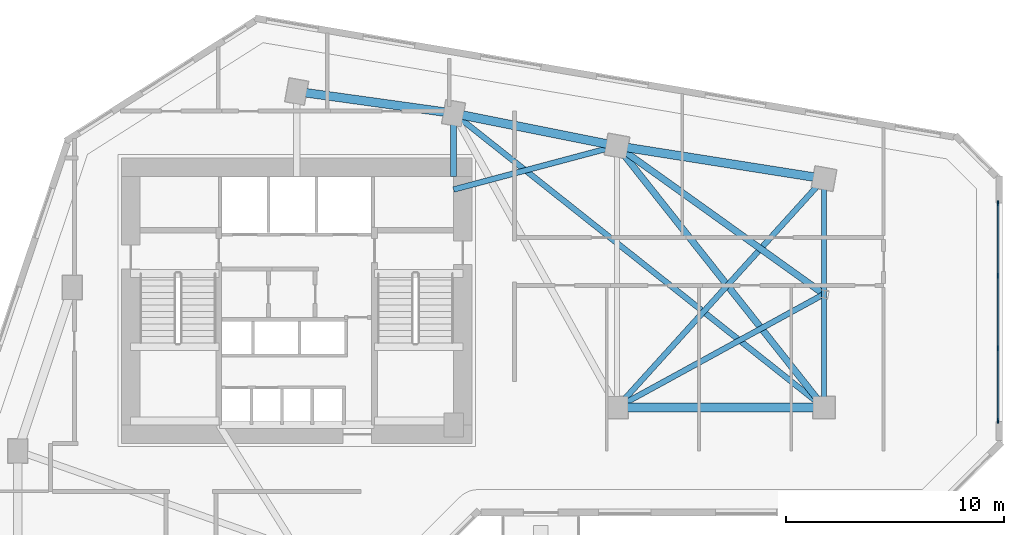
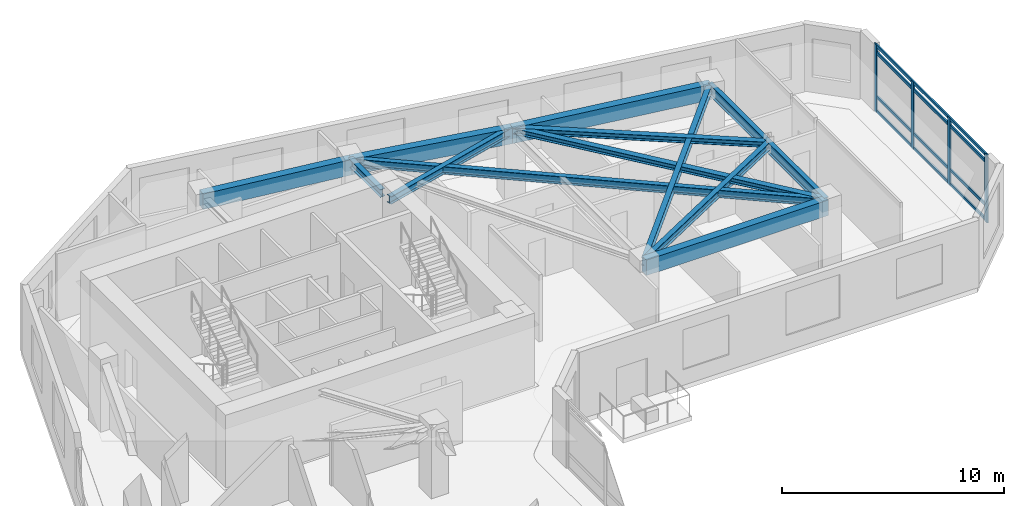
# One storey, part 3 of 10: 12 beams, 8 members, 1 element without a shape of its own.
"""IFC4 building model written with IfcOpenShell, lengths in metres."""

from ifc_helpers import new_model, si_unit, direction, frame, origin, origin_2d, place, context, subcontext, project, spatial, rectangle, i_section, extrude, source, transform, mapped, material, material_profile, profile_set, type_object, element, aggregate, save


model = new_model("IFC4")

# Units and contexts
model_context = context("Model", 3, precision=1e-05, world=origin(), true_north=direction((0.0, 1.0)))
body_context = subcontext(model_context, "Body", "Model", "MODEL_VIEW")
ifc_project = project(units=[si_unit("LENGTHUNIT", "METRE"), si_unit("AREAUNIT", "SQUARE_METRE"), si_unit("VOLUMEUNIT", "CUBIC_METRE"), si_unit("PLANEANGLEUNIT", "RADIAN"), si_unit("MASSUNIT", "GRAM", prefix="KILO")], contexts=[model_context])

# Site, building, storey
site_placement = place(None, origin())
site = spatial("IfcSite", under=ifc_project, at=site_placement, CompositionType="ELEMENT")
building_placement = place(site_placement, origin())
building = spatial("IfcBuilding", under=site, at=building_placement, Name="Calvemar Wedge Station Tower", CompositionType="ELEMENT")
storey_placement = place(building_placement, frame((0.0, 0.0, 95.0)))
storey = spatial("IfcBuildingStorey", under=building, at=storey_placement, Name="L23", CompositionType="ELEMENT", Elevation=95.0)

# Beams
ifc_material_1 = material(Name="Concrete C60", Category="concrete")
ifc_material_profile_1 = material_profile(ifc_material_1, rectangle(XDim=0.39990234375, YDim=0.85009765625, at=origin_2d()), Name="RC400x850")
ifc_profile_set_1 = profile_set([ifc_material_profile_1], Name="Concrete C60")
beam_type_1 = type_object("IfcBeamType", Name="BM-SP1-850", PredefinedType="SPANDREL", material=ifc_profile_set_1)
shared_shape_1 = source(origin(), body_context, "Body", "SweptSolid", [
    extrude(rectangle(XDim=0.39990234375, YDim=0.85009765625, at=origin_2d()), origin(), (0.0, 0.0, 1.0), 7.26904296875),
])
beam_1_placement = place(storey_placement, frame((23.800048828125, 49.5, 3.27490234375), z_axis=(0.990492146053, -0.13756928657, 0.0), x_axis=(0.13756928657, 0.990492146053, 0.0)))
element("IfcBeam", 1, at=beam_1_placement, inside=storey, type_object=beam_type_1, Name="Storey L23 Spandrel T-N1-T-N2", PredefinedType="SPANDREL", context=body_context, shape_type="MappedRepresentation", body=[
    mapped(shared_shape_1, transform((0.0, 0.0, 0.0), scale=1.0)),
])
shared_shape_2 = source(origin(), body_context, "Body", "SweptSolid", [
    extrude(rectangle(XDim=0.39990234375, YDim=0.85009765625, at=origin_2d()), origin(), (0.0, 0.0, 1.0), 7.6484375),
])
beam_2_placement = place(storey_placement, frame((31.0, 48.5, 3.27490234375), z_axis=(0.980580675691, -0.196116135138, 0.0), x_axis=(0.196116135138, 0.980580675691, 0.0)))
element("IfcBeam", 2, at=beam_2_placement, inside=storey, type_object=beam_type_1, Name="Storey L23 Spandrel T-N2-T-NU3", PredefinedType="SPANDREL", context=body_context, shape_type="MappedRepresentation", body=[
    mapped(shared_shape_2, transform((0.0, 0.0, 0.0), scale=1.0)),
])
shared_shape_3 = source(origin(), body_context, "Body", "SweptSolid", [
    extrude(rectangle(XDim=0.39990234375, YDim=0.85009765625, at=origin_2d()), origin(), (0.0, 0.0, 1.0), 9.61767578125),
])
beam_3_placement = place(storey_placement, frame((38.5, 47.0, 3.27490234375), z_axis=(0.987762965329, -0.155962573473, 0.0), x_axis=(0.155962573473, 0.987762965329, 0.0)))
element("IfcBeam", 3, at=beam_3_placement, inside=storey, type_object=beam_type_1, Name="Storey L23 Spandrel T-NU3-T-NU4", PredefinedType="SPANDREL", context=body_context, shape_type="MappedRepresentation", body=[
    mapped(shared_shape_3, transform((0.0, 0.0, 0.0), scale=1.0)),
])
shared_shape_4 = source(origin(), body_context, "Body", "SweptSolid", [
    extrude(rectangle(XDim=0.39990234375, YDim=0.85009765625, at=origin_2d()), origin(), (0.0, 0.0, 1.0), 9.5),
])
beam_4_placement = place(storey_placement, frame((38.5, 35.0, 3.27490234375), z_axis=(1.0, 0.0, 0.0), x_axis=(0.0, 1.0, 0.0)))
element("IfcBeam", 4, at=beam_4_placement, inside=storey, type_object=beam_type_1, Name="Storey L23 Spandrel T-NL2-T-NL3", PredefinedType="SPANDREL", context=body_context, shape_type="MappedRepresentation", body=[
    mapped(shared_shape_4, transform((0.0, 0.0, 0.0), scale=1.0)),
])
ifc_material_2 = material(Name="Structural steel ASTM A572 Grade 50", Category="steel")
ifc_material_profile_2 = material_profile(ifc_material_2, i_section(OverallWidth=0.22998046875, OverallDepth=0.616943359375, WebThickness=0.01318359375, FlangeThickness=0.022216796875, FilletRadius=0.012939453125, at=origin_2d()), Name="W610x140")
ifc_profile_set_2 = profile_set([ifc_material_profile_2], Name="Structural steel ASTM A572 Grade 50")
beam_type_2 = type_object("IfcBeamType", Name="BM-SB2-W610", PredefinedType="BEAM", material=ifc_profile_set_2)
shared_shape_5 = source(origin(), body_context, "Body", "SweptSolid", [
    extrude(i_section(OverallWidth=0.22998046875, OverallDepth=0.616943359375, WebThickness=0.01318359375, FlangeThickness=0.022216796875, FilletRadius=0.012939453125, at=origin_2d()), origin(), (0.0, 0.0, 1.0), 10.5),
])
beam_5_placement = place(storey_placement, frame((48.0, 45.5, 3.3916015625), z_axis=(0.0, -1.0, 0.0), x_axis=(1.0, 0.0, 0.0)))
element("IfcBeam", 5, at=beam_5_placement, inside=storey, type_object=beam_type_2, Name="Storey L23 Floor Beam T-NU4-T-NL3", PredefinedType="BEAM", context=body_context, shape_type="MappedRepresentation", body=[
    mapped(shared_shape_5, transform((0.0, 0.0, 0.0), scale=1.0)),
])
ifc_material_profile_3 = material_profile(ifc_material_2, i_section(OverallWidth=0.260986328125, OverallDepth=0.419921875, WebThickness=0.01171875, FlangeThickness=0.019287109375, FilletRadius=0.012939453125, at=origin_2d()), Name="W410x114")
ifc_profile_set_3 = profile_set([ifc_material_profile_3], Name="Structural steel ASTM A572 Grade 50")
beam_type_3 = type_object("IfcBeamType", Name="BM-J2-W410H", PredefinedType="JOIST", material=ifc_profile_set_3)
shared_shape_6 = source(origin(), body_context, "Body", "SweptSolid", [
    extrude(i_section(OverallWidth=0.260986328125, OverallDepth=0.419921875, WebThickness=0.01171875, FlangeThickness=0.019287109375, FilletRadius=0.012939453125, at=origin_2d()), origin(), (0.0, 0.0, 1.0), 21.708251953125),
])
beam_6_placement = place(storey_placement, frame((31.0, 48.5, 3.489990234375), z_axis=(0.783110847498, -0.621882143602, 0.0), x_axis=(0.621882143602, 0.783110847498, 0.0)))
element("IfcBeam", 6, at=beam_6_placement, inside=storey, type_object=beam_type_3, Name="Storey L23 Floor Beam T-N2-T-NL3", PredefinedType="JOIST", context=body_context, shape_type="MappedRepresentation", body=[
    mapped(shared_shape_6, transform((0.0, 0.0, 0.0), scale=1.0)),
])
ifc_material_profile_4 = material_profile(ifc_material_2, i_section(OverallWidth=0.304931640625, OverallDepth=0.30810546875, WebThickness=0.010009765625, FlangeThickness=0.015380859375, FilletRadius=0.014892578125, at=origin_2d()), Name="W310x97")
ifc_profile_set_4 = profile_set([ifc_material_profile_4], Name="Structural steel ASTM A572 Grade 50")
beam_type_4 = type_object("IfcBeamType", Name="BM-J6-W310", PredefinedType="JOIST", material=ifc_profile_set_4)
shared_shape_7 = source(origin(), body_context, "Body", "SweptSolid", [
    extrude(i_section(OverallWidth=0.304931640625, OverallDepth=0.30810546875, WebThickness=0.010009765625, FlangeThickness=0.015380859375, FilletRadius=0.014892578125, at=origin_2d()), origin(), (0.0, 0.0, 1.0), 15.30517578125),
])
beam_7_placement = place(storey_placement, frame((38.5, 47.0, 3.5458984375), z_axis=(0.620702944366, -0.784045824462, 0.0), x_axis=(0.784045824462, 0.620702944366, 0.0)))
element("IfcBeam", 7, at=beam_7_placement, inside=storey, type_object=beam_type_4, Name="Storey L23 Floor Beam T-NU3-T-NL3", PredefinedType="JOIST", context=body_context, shape_type="MappedRepresentation", body=[
    mapped(shared_shape_7, transform((0.0, 0.0, 0.0), scale=1.0)),
])
shared_shape_8 = source(origin(), body_context, "Body", "SweptSolid", [
    extrude(i_section(OverallWidth=0.260986328125, OverallDepth=0.419921875, WebThickness=0.01171875, FlangeThickness=0.019287109375, FilletRadius=0.012939453125, at=origin_2d()), origin(), (0.0, 0.0, 1.0), 14.159912109375),
])
beam_8_placement = place(storey_placement, frame((38.5, 35.0, 3.489990234375), z_axis=(0.670913323969, 0.741535779124, 0.0), x_axis=(-0.741535779124, 0.670913323969, 0.0)))
element("IfcBeam", 8, at=beam_8_placement, inside=storey, type_object=beam_type_3, Name="Storey L23 Floor Beam T-NL2-T-NU4", PredefinedType="JOIST", context=body_context, shape_type="MappedRepresentation", body=[
    mapped(shared_shape_8, transform((0.0, 0.0, 0.0), scale=1.0)),
])
shared_shape_9 = source(origin(), body_context, "Body", "SweptSolid", [
    extrude(i_section(OverallWidth=0.304931640625, OverallDepth=0.30810546875, WebThickness=0.010009765625, FlangeThickness=0.015380859375, FilletRadius=0.014892578125, at=origin_2d()), origin(), (0.0, 0.0, 1.0), 11.682861328125),
])
beam_9_placement = place(storey_placement, frame((48.0, 40.199951171875, 3.5458984375), z_axis=(-0.81315274409, 0.582050354161, 0.0), x_axis=(-0.582050354161, -0.81315274409, 0.0)))
element("IfcBeam", 9, at=beam_9_placement, inside=storey, type_object=beam_type_4, Name="Storey L23 Floor Beam T-NTIP-A-T-NU3", PredefinedType="JOIST", context=body_context, shape_type="MappedRepresentation", body=[
    mapped(shared_shape_9, transform((0.0, 0.0, 0.0), scale=1.0)),
])
shared_shape_10 = source(origin(), body_context, "Body", "SweptSolid", [
    extrude(i_section(OverallWidth=0.260986328125, OverallDepth=0.419921875, WebThickness=0.01171875, FlangeThickness=0.019287109375, FilletRadius=0.012939453125, at=origin_2d()), origin(), (0.0, 0.0, 1.0), 10.830078125),
])
beam_10_placement = place(storey_placement, frame((48.0, 40.199951171875, 3.489990234375), z_axis=(-0.877190767997, -0.480142017053, 0.0), x_axis=(0.480142017053, -0.877190767997, 0.0)))
element("IfcBeam", 10, at=beam_10_placement, inside=storey, type_object=beam_type_3, Name="Storey L23 Floor Beam T-NTIP-A-T-NL2", PredefinedType="JOIST", context=body_context, shape_type="MappedRepresentation", body=[
    mapped(shared_shape_10, transform((0.0, 0.0, 0.0), scale=1.0)),
])
shared_shape_11 = source(origin(), body_context, "Body", "SweptSolid", [
    extrude(i_section(OverallWidth=0.260986328125, OverallDepth=0.419921875, WebThickness=0.01171875, FlangeThickness=0.019287109375, FilletRadius=0.012939453125, at=origin_2d()), origin(), (0.0, 0.0, 1.0), 7.76220703125),
])
beam_11_placement = place(storey_placement, frame((31.0, 45.0, 3.489990234375), z_axis=(0.966234939601, 0.25766265056, 0.0), x_axis=(-0.25766265056, 0.966234939601, 0.0)))
element("IfcBeam", 11, at=beam_11_placement, inside=storey, type_object=beam_type_3, Name="Storey L23 Core-to-Column Joist CJ-E2", PredefinedType="JOIST", context=body_context, shape_type="MappedRepresentation", body=[
    mapped(shared_shape_11, transform((0.0, 0.0, 0.0), scale=1.0)),
])
shared_shape_12 = source(origin(), body_context, "Body", "SweptSolid", [
    extrude(i_section(OverallWidth=0.260986328125, OverallDepth=0.419921875, WebThickness=0.01171875, FlangeThickness=0.019287109375, FilletRadius=0.012939453125, at=origin_2d()), origin(), (0.0, 0.0, 1.0), 2.89990234375),
])
beam_12_placement = place(storey_placement, frame((31.0, 45.60009765625, 3.489990234375), z_axis=(0.0, 1.0, 0.0), x_axis=(-1.0, 0.0, 0.0)))
element("IfcBeam", 12, at=beam_12_placement, inside=storey, type_object=beam_type_3, Name="Storey L23 Core-to-Column Joist CJ-N2", PredefinedType="JOIST", context=body_context, shape_type="MappedRepresentation", body=[
    mapped(shared_shape_12, transform((0.0, 0.0, 0.0), scale=1.0)),
])

# Curtain wall, members
ifc_material_3 = material(Name="Anodised aluminium 6063-T6", Category="aluminium")
curtain_wall_type = type_object("IfcCurtainWallType", Name="CW1", PredefinedType="NOTDEFINED", material=ifc_material_3)
curtain_wall_placement = place(storey_placement, origin())
curtain_wall = element("IfcCurtainWall", 13, at=curtain_wall_placement, inside=storey, type_object=curtain_wall_type, Name="Storey L23 CW1 Recessed Unitised Curtain Wall 8", PredefinedType="NOTDEFINED")
ifc_material_profile_5 = material_profile(ifc_material_3, rectangle(XDim=0.080078125, YDim=0.159912109375, at=origin_2d()), Name="AL-TRN-80x160")
ifc_profile_set_5 = profile_set([ifc_material_profile_5], Name="Anodised aluminium 6063-T6")
member_type_1 = type_object("IfcMemberType", Name="CW1-TRN", PredefinedType="USERDEFINED", material=ifc_profile_set_5)
shared_shape_13 = source(origin(), body_context, "Body", "SweptSolid", [
    extrude(rectangle(XDim=0.080078125, YDim=0.159912109375, at=origin_2d()), origin(), (0.0, 0.0, 1.0), 9.975830078125),
])
member_1_placement = place(storey_placement, frame((55.989990234375, 34.39013671875, 0.06005859375), z_axis=(0.0, 1.0, 0.0), x_axis=(-1.0, 0.0, 0.0)))
member_1 = element("IfcMember", 14, at=member_1_placement, type_object=member_type_1, Name="CW1 transom 1", ObjectType="TRANSOM", PredefinedType="USERDEFINED", context=body_context, shape_type="MappedRepresentation", body=[
    mapped(shared_shape_13, transform((0.0, 0.0, 0.0), scale=1.0)),
])
member_2_placement = place(storey_placement, frame((55.989990234375, 34.39013671875, 0.85009765625), z_axis=(0.0, 1.0, 0.0), x_axis=(-1.0, 0.0, 0.0)))
member_2 = element("IfcMember", 15, at=member_2_placement, type_object=member_type_1, Name="CW1 transom 2", ObjectType="TRANSOM", PredefinedType="USERDEFINED", context=body_context, shape_type="MappedRepresentation", body=[
    mapped(shared_shape_13, transform((0.0, 0.0, 0.0), scale=1.0)),
])
member_3_placement = place(storey_placement, frame((55.989990234375, 34.39013671875, 3.25), z_axis=(0.0, 1.0, 0.0), x_axis=(-1.0, 0.0, 0.0)))
member_3 = element("IfcMember", 16, at=member_3_placement, type_object=member_type_1, Name="CW1 transom 3", ObjectType="TRANSOM", PredefinedType="USERDEFINED", context=body_context, shape_type="MappedRepresentation", body=[
    mapped(shared_shape_13, transform((0.0, 0.0, 0.0), scale=1.0)),
])
member_4_placement = place(storey_placement, frame((55.989990234375, 34.39013671875, 3.639892578125), z_axis=(0.0, 1.0, 0.0), x_axis=(-1.0, 0.0, 0.0)))
member_4 = element("IfcMember", 17, at=member_4_placement, type_object=member_type_1, Name="CW1 transom 4", ObjectType="TRANSOM", PredefinedType="USERDEFINED", context=body_context, shape_type="MappedRepresentation", body=[
    mapped(shared_shape_13, transform((0.0, 0.0, 0.0), scale=1.0)),
])
ifc_material_profile_6 = material_profile(ifc_material_3, rectangle(XDim=0.080078125, YDim=0.219970703125, at=origin_2d()), Name="AL-MUL-80x220")
ifc_profile_set_6 = profile_set([ifc_material_profile_6], Name="Anodised aluminium 6063-T6")
member_type_2 = type_object("IfcMemberType", Name="CW1-MUL", PredefinedType="MULLION", material=ifc_profile_set_6)
shared_shape_14 = source(origin(), body_context, "Body", "SweptSolid", [
    extrude(rectangle(XDim=0.080078125, YDim=0.219970703125, at=origin_2d()), origin(), (0.0, 0.0, 1.0), 3.75),
])
member_5_placement = place(storey_placement, frame((55.989990234375, 34.39013671875, -0.050048828125), z_axis=(0.0, 0.0, 1.0), x_axis=(1.0, 0.0, 0.0)))
member_5 = element("IfcMember", 18, at=member_5_placement, type_object=member_type_2, Name="CW1 mullion 1", PredefinedType="MULLION", context=body_context, shape_type="MappedRepresentation", body=[
    mapped(shared_shape_14, transform((0.0, 0.0, 0.0), scale=1.0)),
])
member_6_placement = place(storey_placement, frame((55.989990234375, 37.71533203125, -0.050048828125), z_axis=(0.0, 0.0, 1.0), x_axis=(1.0, 0.0, 0.0)))
member_6 = element("IfcMember", 19, at=member_6_placement, type_object=member_type_2, Name="CW1 mullion 2", PredefinedType="MULLION", context=body_context, shape_type="MappedRepresentation", body=[
    mapped(shared_shape_14, transform((0.0, 0.0, 0.0), scale=1.0)),
])
member_7_placement = place(storey_placement, frame((55.989990234375, 41.04052734375, -0.050048828125), z_axis=(0.0, 0.0, 1.0), x_axis=(1.0, 0.0, 0.0)))
member_7 = element("IfcMember", 20, at=member_7_placement, type_object=member_type_2, Name="CW1 mullion 3", PredefinedType="MULLION", context=body_context, shape_type="MappedRepresentation", body=[
    mapped(shared_shape_14, transform((0.0, 0.0, 0.0), scale=1.0)),
])
member_8_placement = place(storey_placement, frame((55.989990234375, 44.365966796875, -0.050048828125), z_axis=(0.0, 0.0, 1.0), x_axis=(1.0, 0.0, 0.0)))
member_8 = element("IfcMember", 21, at=member_8_placement, type_object=member_type_2, Name="CW1 mullion 4", PredefinedType="MULLION", context=body_context, shape_type="MappedRepresentation", body=[
    mapped(shared_shape_14, transform((0.0, 0.0, 0.0), scale=1.0)),
])
aggregate(curtain_wall, [member_5, member_6, member_7, member_8, member_1, member_2, member_3, member_4])

save(model, "model.ifc")
